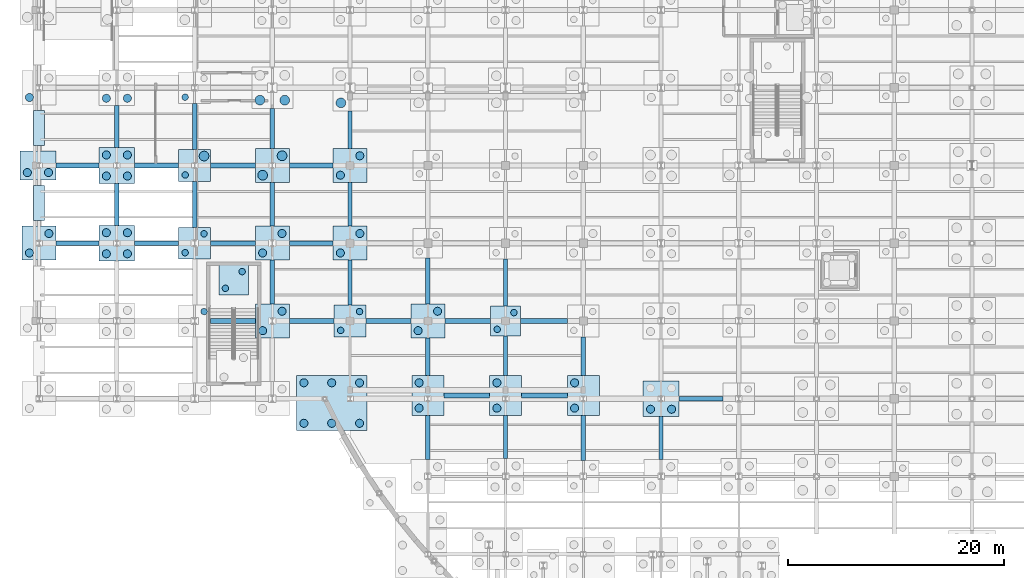
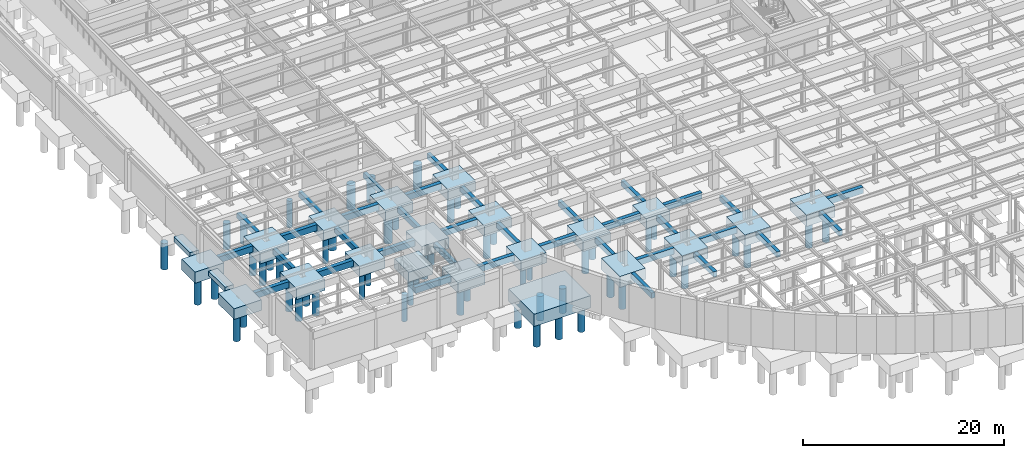
# One storey, part 2 of 64: 57 footings, 56 piles.
"""IFC4 building model written with IfcOpenShell, lengths in metres."""

from ifc_helpers import new_model, si_unit, direction, frame, origin, origin_2d, place, context, subcontext, project, spatial, rectangle, circle, extrude, material, material_profile, profile_set, type_object, element, save


model = new_model("IFC4")

# Units and contexts
model_context = context("Model", 3, precision=1e-05, world=origin(), true_north=direction((0.0, 1.0)))
body_context = subcontext(model_context, "Body", "Model", "MODEL_VIEW")
ifc_project = project(units=[si_unit("LENGTHUNIT", "METRE"), si_unit("AREAUNIT", "SQUARE_METRE"), si_unit("VOLUMEUNIT", "CUBIC_METRE"), si_unit("PLANEANGLEUNIT", "RADIAN"), si_unit("MASSUNIT", "GRAM", prefix="KILO")], contexts=[model_context])

# Site, building, storey
site_placement = place(None, origin())
site = spatial("IfcSite", under=ifc_project, at=site_placement, CompositionType="ELEMENT")
building_placement = place(site_placement, origin())
building = spatial("IfcBuilding", under=site, at=building_placement, Name="Solvadek Multi-Sports Hall", CompositionType="ELEMENT")
storey_placement = place(building_placement, frame((0.0, 0.0, -4.800048828125)))
storey = spatial("IfcBuildingStorey", under=building, at=storey_placement, Name="B1", CompositionType="ELEMENT", Elevation=-4.800048828125)

# Footings
ifc_material_1 = material(Name="Concrete M40", Category="concrete")
footing_type_1 = type_object("IfcFootingType", Name="STR-CAP-275X275X120", PredefinedType="PILE_CAP", material=ifc_material_1)
for number, where, z_axis, x_axis, name in (
    (1, (43.199951171875, 27.60009765625, -1.19970703125), (0.0, 0.0, 1.0), (1.0, 0.0, 0.0), "Pile Cap PC-02 #94"),
    (2, (18.02490234375, 31.39990234375, -1.19970703125), (0.0, 0.0, 1.0), (1.0, 0.0, 0.0), "Pile Cap PC-02 #103"),
):
    element("IfcFooting", number, at=place(storey_placement, frame(where, z_axis=z_axis, x_axis=x_axis)), inside=storey, type_object=footing_type_1, Name=name, PredefinedType="PILE_CAP", context=body_context, shape_type="SweptSolid", body=[
        extrude(rectangle(XDim=2.75, YDim=2.75, at=origin_2d()), origin(), (0.0, 0.0, 1.0), 1.199951171875),
    ])
footing_type_2 = type_object("IfcFootingType", Name="STR-CAP-295X295X125", PredefinedType="PILE_CAP", material=ifc_material_1)
for number, where, z_axis, x_axis, name in (
    (3, (28.800048828125, 27.60009765625, -1.25), (0.0, 0.0, 1.0), (1.0, 0.0, 0.0), "Pile Cap PC-14 #92"),
    (4, (14.39990234375, 34.800048828125, -1.25), (0.0, 0.0, 1.0), (1.0, 0.0, 0.0), "Pile Cap PC-14 #109"),
    (5, (14.39990234375, 42.0, -1.25), (0.0, 0.0, 1.0), (1.0, 0.0, 0.0), "Pile Cap PC-14 #139"),
):
    element("IfcFooting", number, at=place(storey_placement, frame(where, z_axis=z_axis, x_axis=x_axis)), inside=storey, type_object=footing_type_2, Name=name, PredefinedType="PILE_CAP", context=body_context, shape_type="SweptSolid", body=[
        extrude(rectangle(XDim=2.949951171875, YDim=2.949951171875, at=origin_2d()), origin(), (0.0, 0.0, 1.0), 1.25),
    ])
footing_type_3 = type_object("IfcFootingType", Name="STR-CAP-315X315X130", PredefinedType="PILE_CAP", material=ifc_material_1)
for number, where, z_axis, x_axis, name in (
    (6, (21.60009765625, 27.60009765625, -1.2998046875), (0.0, 0.0, 1.0), (1.0, 0.0, 0.0), "Pile Cap PC-15 #89"),
    (7, (36.0, 27.60009765625, -1.2998046875), (0.0, 0.0, 1.0), (1.0, 0.0, 0.0), "Pile Cap PC-15 #93"),
    (8, (0.0, 34.800048828125, -1.2998046875), (0.0, 0.0, 1.0), (1.0, 0.0, 0.0), "Pile Cap PC-15 #107"),
    (9, (21.60009765625, 34.800048828125, -1.2998046875), (0.0, 0.0, 1.0), (1.0, 0.0, 0.0), "Pile Cap PC-15 #110"),
    (10, (28.800048828125, 34.800048828125, -1.2998046875), (0.0, 0.0, 1.0), (1.0, 0.0, 0.0), "Pile Cap PC-15 #114"),
    (11, (21.60009765625, 42.0, -1.2998046875), (0.0, 0.0, 1.0), (1.0, 0.0, 0.0), "Pile Cap PC-15 #140"),
    (12, (28.800048828125, 42.0, -1.2998046875), (0.0, 0.0, 1.0), (1.0, 0.0, 0.0), "Pile Cap PC-15 #144"),
):
    element("IfcFooting", number, at=place(storey_placement, frame(where, z_axis=z_axis, x_axis=x_axis)), inside=storey, type_object=footing_type_3, Name=name, PredefinedType="PILE_CAP", context=body_context, shape_type="SweptSolid", body=[
        extrude(rectangle(XDim=3.14990234375, YDim=3.14990234375, at=origin_2d()), origin(), (0.0, 0.0, 1.0), 1.300048828125),
    ])
footing_type_4 = type_object("IfcFootingType", Name="STR-CAP-330X330X135", PredefinedType="PILE_CAP", material=ifc_material_1)
for number, where, z_axis, x_axis, name in (
    (13, (57.60009765625, 20.39990234375, -1.35009765625), (0.0, 0.0, 1.0), (1.0, 0.0, 0.0), "Pile Cap PC-04 #72"),
    (14, (7.199951171875, 34.800048828125, -1.35009765625), (0.0, 0.0, 1.0), (1.0, 0.0, 0.0), "Pile Cap PC-04 #108"),
    (15, (7.199951171875, 42.0, -1.35009765625), (0.0, 0.0, 1.0), (1.0, 0.0, 0.0), "Pile Cap PC-04 #138"),
):
    element("IfcFooting", number, at=place(storey_placement, frame(where, z_axis=z_axis, x_axis=x_axis)), inside=storey, type_object=footing_type_4, Name=name, PredefinedType="PILE_CAP", context=body_context, shape_type="SweptSolid", body=[
        extrude(rectangle(XDim=3.300048828125, YDim=3.300048828125, at=origin_2d()), origin(), (0.0, 0.0, 1.0), 1.35009765625),
    ])
footing_type_5 = type_object("IfcFootingType", Name="STR-CAP-CMB-332X266", PredefinedType="PILE_CAP", material=ifc_material_1)
footing_1_placement = place(storey_placement, frame((-0.110107421875, 42.0, -1.35009765625), z_axis=(0.0, 0.0, 1.0), x_axis=(1.0, 0.0, 0.0)))
element("IfcFooting", 16, at=footing_1_placement, inside=storey, type_object=footing_type_5, Name="Pile Cap PC-R86 #137", PredefinedType="PILE_CAP", context=body_context, shape_type="SweptSolid", body=[
    extrude(rectangle(XDim=3.320068359375, YDim=2.659912109375, at=origin_2d()), origin(), (0.0, 0.0, 1.0), 1.35009765625),
])
footing_type_6 = type_object("IfcFootingType", Name="STR-CAP-CMB-370X296", PredefinedType="PILE_CAP", material=ifc_material_1)
for number, where, z_axis, x_axis, name in (
    (17, (36.0, 20.699951171875, -1.35009765625), (0.0, 0.0, 1.0), (0.0, 1.0, 0.0), "Pile Cap PC-R69 #69"),
    (18, (43.199951171875, 20.699951171875, -1.35009765625), (0.0, 0.0, 1.0), (0.0, 1.0, 0.0), "Pile Cap PC-R69 #70"),
    (19, (50.39990234375, 20.699951171875, -1.35009765625), (0.0, 0.0, 1.0), (0.0, 1.0, 0.0), "Pile Cap PC-R69 #71"),
):
    element("IfcFooting", number, at=place(storey_placement, frame(where, z_axis=z_axis, x_axis=x_axis)), inside=storey, type_object=footing_type_6, Name=name, PredefinedType="PILE_CAP", context=body_context, shape_type="SweptSolid", body=[
        extrude(rectangle(XDim=3.699951171875, YDim=2.9599609375, at=origin_2d()), origin(), (0.0, 0.0, 1.0), 1.35009765625),
    ])
footing_type_7 = type_object("IfcFootingType", Name="STR-CAP-CMB-650X510", PredefinedType="PILE_CAP", material=ifc_material_1)
footing_2_placement = place(storey_placement, frame((27.10009765625, 20.0, -1.5), z_axis=(0.0, 0.0, 1.0), x_axis=(1.0, 0.0, 0.0)))
element("IfcFooting", 20, at=footing_2_placement, inside=storey, type_object=footing_type_7, Name="Pile Cap PC-R61 #61", PredefinedType="PILE_CAP", context=body_context, shape_type="SweptSolid", body=[
    extrude(rectangle(XDim=6.5, YDim=5.10009765625, at=origin_2d()), origin(), (0.0, 0.0, 1.0), 1.5),
])
footing_type_8 = type_object("IfcFootingType", Name="STR-FTB-400X650", PredefinedType="FOOTING_BEAM", material=ifc_material_1)
for number, where, z_axis, x_axis, name in (
    (21, (7.199951171875, 38.39990234375, -0.64990234375), (0.0, 0.0, 1.0), (0.0, 1.0, 0.0), "Foundation Beam FB-01 #221"),
    (22, (7.199951171875, 45.60009765625, -0.64990234375), (0.0, 0.0, 1.0), (0.0, 1.0, 0.0), "Foundation Beam FB-01 #222"),
):
    element("IfcFooting", number, at=place(storey_placement, frame(where, z_axis=z_axis, x_axis=x_axis)), inside=storey, type_object=footing_type_8, Name=name, PredefinedType="FOOTING_BEAM", context=body_context, shape_type="SweptSolid", body=[
        extrude(rectangle(XDim=3.89990234375, YDim=0.39990234375, at=origin_2d()), origin(), (0.0, 0.0, 1.0), 0.64990234375),
    ])
for number, where, z_axis, x_axis, name in (
    (23, (14.39990234375, 38.39990234375, -0.64990234375), (0.0, 0.0, 1.0), (0.0, 1.0, 0.0), "Foundation Beam FB-01 #231"),
    (24, (14.39990234375, 45.60009765625, -0.64990234375), (0.0, 0.0, 1.0), (0.0, 1.0, 0.0), "Foundation Beam FB-01 #232"),
):
    element("IfcFooting", number, at=place(storey_placement, frame(where, z_axis=z_axis, x_axis=x_axis)), inside=storey, type_object=footing_type_8, Name=name, PredefinedType="FOOTING_BEAM", context=body_context, shape_type="SweptSolid", body=[
        extrude(rectangle(XDim=4.25, YDim=0.39990234375, at=origin_2d()), origin(), (0.0, 0.0, 1.0), 0.64990234375),
    ])
for number, where, z_axis, x_axis, name in (
    (25, (21.60009765625, 31.199951171875, -0.64990234375), (0.0, 0.0, 1.0), (0.0, 1.0, 0.0), "Foundation Beam FB-01 #239"),
    (26, (21.60009765625, 38.39990234375, -0.64990234375), (0.0, 0.0, 1.0), (0.0, 1.0, 0.0), "Foundation Beam FB-01 #240"),
):
    element("IfcFooting", number, at=place(storey_placement, frame(where, z_axis=z_axis, x_axis=x_axis)), inside=storey, type_object=footing_type_8, Name=name, PredefinedType="FOOTING_BEAM", context=body_context, shape_type="SweptSolid", body=[
        extrude(rectangle(XDim=4.050048828125, YDim=0.39990234375, at=origin_2d()), origin(), (0.0, 0.0, 1.0), 0.64990234375),
    ])
footing_3_placement = place(storey_placement, frame((21.60009765625, 45.4375, -0.64990234375), z_axis=(0.0, 0.0, 1.0), x_axis=(0.0, 1.0, 0.0)))
element("IfcFooting", 27, at=footing_3_placement, inside=storey, type_object=footing_type_8, Name="Foundation Beam FB-01 #241", PredefinedType="FOOTING_BEAM", context=body_context, shape_type="SweptSolid", body=[
    extrude(rectangle(XDim=3.72509765625, YDim=0.39990234375, at=origin_2d()), origin(), (0.0, 0.0, 1.0), 0.64990234375),
])
footing_4_placement = place(storey_placement, frame((28.800048828125, 31.14990234375, -0.64990234375), z_axis=(0.0, 0.0, 1.0), x_axis=(0.0, 1.0, 0.0)))
element("IfcFooting", 28, at=footing_4_placement, inside=storey, type_object=footing_type_8, Name="Foundation Beam FB-01 #250", PredefinedType="FOOTING_BEAM", context=body_context, shape_type="SweptSolid", body=[
    extrude(rectangle(XDim=4.14990234375, YDim=0.39990234375, at=origin_2d()), origin(), (0.0, 0.0, 1.0), 0.64990234375),
])
footing_5_placement = place(storey_placement, frame((28.800048828125, 38.39990234375, -0.64990234375), z_axis=(0.0, 0.0, 1.0), x_axis=(0.0, 1.0, 0.0)))
element("IfcFooting", 29, at=footing_5_placement, inside=storey, type_object=footing_type_8, Name="Foundation Beam FB-01 #251", PredefinedType="FOOTING_BEAM", context=body_context, shape_type="SweptSolid", body=[
    extrude(rectangle(XDim=4.050048828125, YDim=0.39990234375, at=origin_2d()), origin(), (0.0, 0.0, 1.0), 0.64990234375),
])
footing_6_placement = place(storey_placement, frame((28.800048828125, 45.3125, -0.64990234375), z_axis=(0.0, 0.0, 1.0), x_axis=(0.0, 1.0, 0.0)))
element("IfcFooting", 30, at=footing_6_placement, inside=storey, type_object=footing_type_8, Name="Foundation Beam FB-01 #252", PredefinedType="FOOTING_BEAM", context=body_context, shape_type="SweptSolid", body=[
    extrude(rectangle(XDim=3.47509765625, YDim=0.39990234375, at=origin_2d()), origin(), (0.0, 0.0, 1.0), 0.64990234375),
])
footing_7_placement = place(storey_placement, frame((36.0, 16.8125, -0.64990234375), z_axis=(0.0, 0.0, 1.0), x_axis=(0.0, 1.0, 0.0)))
element("IfcFooting", 31, at=footing_7_placement, inside=storey, type_object=footing_type_8, Name="Foundation Beam FB-01 #261", PredefinedType="FOOTING_BEAM", context=body_context, shape_type="SweptSolid", body=[
    extrude(rectangle(XDim=4.074951171875, YDim=0.39990234375, at=origin_2d()), origin(), (0.0, 0.0, 1.0), 0.64990234375),
])
footing_8_placement = place(storey_placement, frame((36.0, 24.28759765625, -0.64990234375), z_axis=(0.0, 0.0, 1.0), x_axis=(0.0, 1.0, 0.0)))
element("IfcFooting", 32, at=footing_8_placement, inside=storey, type_object=footing_type_8, Name="Foundation Beam FB-01 #262", PredefinedType="FOOTING_BEAM", context=body_context, shape_type="SweptSolid", body=[
    extrude(rectangle(XDim=3.47509765625, YDim=0.39990234375, at=origin_2d()), origin(), (0.0, 0.0, 1.0), 0.64990234375),
])
footing_9_placement = place(storey_placement, frame((36.0, 31.300048828125, -0.64990234375), z_axis=(0.0, 0.0, 1.0), x_axis=(0.0, 1.0, 0.0)))
element("IfcFooting", 33, at=footing_9_placement, inside=storey, type_object=footing_type_8, Name="Foundation Beam FB-01 #263", PredefinedType="FOOTING_BEAM", context=body_context, shape_type="SweptSolid", body=[
    extrude(rectangle(XDim=4.25, YDim=0.39990234375, at=origin_2d()), origin(), (0.0, 0.0, 1.0), 0.64990234375),
])
footing_10_placement = place(storey_placement, frame((43.199951171875, 16.85009765625, -0.64990234375), z_axis=(0.0, 0.0, 1.0), x_axis=(0.0, 1.0, 0.0)))
element("IfcFooting", 34, at=footing_10_placement, inside=storey, type_object=footing_type_8, Name="Foundation Beam FB-01 #275", PredefinedType="FOOTING_BEAM", context=body_context, shape_type="SweptSolid", body=[
    extrude(rectangle(XDim=4.0, YDim=0.39990234375, at=origin_2d()), origin(), (0.0, 0.0, 1.0), 0.64990234375),
])
footing_11_placement = place(storey_placement, frame((43.199951171875, 24.387451171875, -0.64990234375), z_axis=(0.0, 0.0, 1.0), x_axis=(0.0, 1.0, 0.0)))
element("IfcFooting", 35, at=footing_11_placement, inside=storey, type_object=footing_type_8, Name="Foundation Beam FB-01 #276", PredefinedType="FOOTING_BEAM", context=body_context, shape_type="SweptSolid", body=[
    extrude(rectangle(XDim=3.675048828125, YDim=0.39990234375, at=origin_2d()), origin(), (0.0, 0.0, 1.0), 0.64990234375),
])
footing_12_placement = place(storey_placement, frame((43.199951171875, 31.14990234375, -0.64990234375), z_axis=(0.0, 0.0, 1.0), x_axis=(0.0, 1.0, 0.0)))
element("IfcFooting", 36, at=footing_12_placement, inside=storey, type_object=footing_type_8, Name="Foundation Beam FB-01 #277", PredefinedType="FOOTING_BEAM", context=body_context, shape_type="SweptSolid", body=[
    extrude(rectangle(XDim=4.35009765625, YDim=0.39990234375, at=origin_2d()), origin(), (0.0, 0.0, 1.0), 0.64990234375),
])
footing_13_placement = place(storey_placement, frame((50.39990234375, 16.762451171875, -0.64990234375), z_axis=(0.0, 0.0, 1.0), x_axis=(0.0, 1.0, 0.0)))
element("IfcFooting", 37, at=footing_13_placement, inside=storey, type_object=footing_type_8, Name="Foundation Beam FB-01 #289", PredefinedType="FOOTING_BEAM", context=body_context, shape_type="SweptSolid", body=[
    extrude(rectangle(XDim=4.175048828125, YDim=0.39990234375, at=origin_2d()), origin(), (0.0, 0.0, 1.0), 0.64990234375),
])
footing_14_placement = place(storey_placement, frame((50.39990234375, 24.33740234375, -0.64990234375), z_axis=(0.0, 0.0, 1.0), x_axis=(0.0, 1.0, 0.0)))
element("IfcFooting", 38, at=footing_14_placement, inside=storey, type_object=footing_type_8, Name="Foundation Beam FB-01 #290", PredefinedType="FOOTING_BEAM", context=body_context, shape_type="SweptSolid", body=[
    extrude(rectangle(XDim=3.574951171875, YDim=0.39990234375, at=origin_2d()), origin(), (0.0, 0.0, 1.0), 0.64990234375),
])
footing_15_placement = place(storey_placement, frame((57.60009765625, 16.762451171875, -0.64990234375), z_axis=(0.0, 0.0, 1.0), x_axis=(0.0, 1.0, 0.0)))
element("IfcFooting", 39, at=footing_15_placement, inside=storey, type_object=footing_type_8, Name="Foundation Beam FB-01 #302", PredefinedType="FOOTING_BEAM", context=body_context, shape_type="SweptSolid", body=[
    extrude(rectangle(XDim=3.97509765625, YDim=0.39990234375, at=origin_2d()), origin(), (0.0, 0.0, 1.0), 0.64990234375),
])
footing_type_9 = type_object("IfcFootingType", Name="STR-FTB-450X750", PredefinedType="FOOTING_BEAM", material=ifc_material_1)
footing_16_placement = place(storey_placement, frame((61.28759765625, 20.39990234375, -0.75), z_axis=(0.0, 0.0, 1.0), x_axis=(1.0, 0.0, 0.0)))
element("IfcFooting", 40, at=footing_16_placement, inside=storey, type_object=footing_type_9, Name="Foundation Beam FB-02 #26", PredefinedType="FOOTING_BEAM", context=body_context, shape_type="SweptSolid", body=[
    extrude(rectangle(XDim=4.074951171875, YDim=0.449951171875, at=origin_2d()), origin(), (0.0, 0.0, 1.0), 0.75),
])
for number, where, z_axis, x_axis, name in (
    (41, (39.60009765625, 20.699951171875, -0.75), (0.0, 0.0, 1.0), (1.0, 0.0, 0.0), "Foundation Beam FB-02 #37"),
    (42, (46.800048828125, 20.699951171875, -0.75), (0.0, 0.0, 1.0), (1.0, 0.0, 0.0), "Foundation Beam FB-02 #38"),
):
    element("IfcFooting", number, at=place(storey_placement, frame(where, z_axis=z_axis, x_axis=x_axis)), inside=storey, type_object=footing_type_9, Name=name, PredefinedType="FOOTING_BEAM", context=body_context, shape_type="SweptSolid", body=[
        extrude(rectangle(XDim=4.239990234375, YDim=0.449951171875, at=origin_2d()), origin(), (0.0, 0.0, 1.0), 0.75),
    ])
for number, where, z_axis, x_axis, name in (
    (43, (17.949951171875, 27.60009765625, -0.75), (0.0, 0.0, 1.0), (1.0, 0.0, 0.0), "Foundation Beam FB-02 #41"),
    (44, (25.25, 27.60009765625, -0.75), (0.0, 0.0, 1.0), (1.0, 0.0, 0.0), "Foundation Beam FB-02 #42"),
    (45, (32.35009765625, 27.60009765625, -0.75), (0.0, 0.0, 1.0), (1.0, 0.0, 0.0), "Foundation Beam FB-02 #43"),
):
    element("IfcFooting", number, at=place(storey_placement, frame(where, z_axis=z_axis, x_axis=x_axis)), inside=storey, type_object=footing_type_9, Name=name, PredefinedType="FOOTING_BEAM", context=body_context, shape_type="SweptSolid", body=[
        extrude(rectangle(XDim=4.14990234375, YDim=0.449951171875, at=origin_2d()), origin(), (0.0, 0.0, 1.0), 0.75),
    ])
footing_17_placement = place(storey_placement, frame((39.699951171875, 27.60009765625, -0.75), z_axis=(0.0, 0.0, 1.0), x_axis=(1.0, 0.0, 0.0)))
element("IfcFooting", 46, at=footing_17_placement, inside=storey, type_object=footing_type_9, Name="Foundation Beam FB-02 #44", PredefinedType="FOOTING_BEAM", context=body_context, shape_type="SweptSolid", body=[
    extrude(rectangle(XDim=4.25, YDim=0.449951171875, at=origin_2d()), origin(), (0.0, 0.0, 1.0), 0.75),
])
footing_18_placement = place(storey_placement, frame((46.75, 27.60009765625, -0.75), z_axis=(0.0, 0.0, 1.0), x_axis=(1.0, 0.0, 0.0)))
element("IfcFooting", 47, at=footing_18_placement, inside=storey, type_object=footing_type_9, Name="Foundation Beam FB-02 #45", PredefinedType="FOOTING_BEAM", context=body_context, shape_type="SweptSolid", body=[
    extrude(rectangle(XDim=4.35009765625, YDim=0.449951171875, at=origin_2d()), origin(), (0.0, 0.0, 1.0), 0.75),
])
footing_19_placement = place(storey_placement, frame((3.5625, 34.800048828125, -0.75), z_axis=(0.0, 0.0, 1.0), x_axis=(1.0, 0.0, 0.0)))
element("IfcFooting", 48, at=footing_19_placement, inside=storey, type_object=footing_type_9, Name="Foundation Beam FB-02 #58", PredefinedType="FOOTING_BEAM", context=body_context, shape_type="SweptSolid", body=[
    extrude(rectangle(XDim=3.97509765625, YDim=0.449951171875, at=origin_2d()), origin(), (0.0, 0.0, 1.0), 0.75),
])
footing_20_placement = place(storey_placement, frame((10.887451171875, 34.800048828125, -0.75), z_axis=(0.0, 0.0, 1.0), x_axis=(1.0, 0.0, 0.0)))
element("IfcFooting", 49, at=footing_20_placement, inside=storey, type_object=footing_type_9, Name="Foundation Beam FB-02 #59", PredefinedType="FOOTING_BEAM", context=body_context, shape_type="SweptSolid", body=[
    extrude(rectangle(XDim=4.074951171875, YDim=0.449951171875, at=origin_2d()), origin(), (0.0, 0.0, 1.0), 0.75),
])
footing_21_placement = place(storey_placement, frame((17.949951171875, 34.800048828125, -0.75), z_axis=(0.0, 0.0, 1.0), x_axis=(1.0, 0.0, 0.0)))
element("IfcFooting", 50, at=footing_21_placement, inside=storey, type_object=footing_type_9, Name="Foundation Beam FB-02 #60", PredefinedType="FOOTING_BEAM", context=body_context, shape_type="SweptSolid", body=[
    extrude(rectangle(XDim=4.14990234375, YDim=0.449951171875, at=origin_2d()), origin(), (0.0, 0.0, 1.0), 0.75),
])
footing_22_placement = place(storey_placement, frame((25.199951171875, 34.800048828125, -0.75), z_axis=(0.0, 0.0, 1.0), x_axis=(1.0, 0.0, 0.0)))
element("IfcFooting", 51, at=footing_22_placement, inside=storey, type_object=footing_type_9, Name="Foundation Beam FB-02 #61", PredefinedType="FOOTING_BEAM", context=body_context, shape_type="SweptSolid", body=[
    extrude(rectangle(XDim=4.050048828125, YDim=0.449951171875, at=origin_2d()), origin(), (0.0, 0.0, 1.0), 0.75),
])
footing_23_placement = place(storey_placement, frame((3.550048828125, 42.0, -0.75), z_axis=(0.0, 0.0, 1.0), x_axis=(1.0, 0.0, 0.0)))
element("IfcFooting", 52, at=footing_23_placement, inside=storey, type_object=footing_type_9, Name="Foundation Beam FB-02 #77", PredefinedType="FOOTING_BEAM", context=body_context, shape_type="SweptSolid", body=[
    extrude(rectangle(XDim=4.0, YDim=0.449951171875, at=origin_2d()), origin(), (0.0, 0.0, 1.0), 0.75),
])
footing_24_placement = place(storey_placement, frame((10.887451171875, 42.0, -0.75), z_axis=(0.0, 0.0, 1.0), x_axis=(1.0, 0.0, 0.0)))
element("IfcFooting", 53, at=footing_24_placement, inside=storey, type_object=footing_type_9, Name="Foundation Beam FB-02 #78", PredefinedType="FOOTING_BEAM", context=body_context, shape_type="SweptSolid", body=[
    extrude(rectangle(XDim=4.074951171875, YDim=0.449951171875, at=origin_2d()), origin(), (0.0, 0.0, 1.0), 0.75),
])
footing_25_placement = place(storey_placement, frame((17.949951171875, 42.0, -0.75), z_axis=(0.0, 0.0, 1.0), x_axis=(1.0, 0.0, 0.0)))
element("IfcFooting", 54, at=footing_25_placement, inside=storey, type_object=footing_type_9, Name="Foundation Beam FB-02 #79", PredefinedType="FOOTING_BEAM", context=body_context, shape_type="SweptSolid", body=[
    extrude(rectangle(XDim=4.14990234375, YDim=0.449951171875, at=origin_2d()), origin(), (0.0, 0.0, 1.0), 0.75),
])
footing_26_placement = place(storey_placement, frame((25.199951171875, 42.0, -0.75), z_axis=(0.0, 0.0, 1.0), x_axis=(1.0, 0.0, 0.0)))
element("IfcFooting", 55, at=footing_26_placement, inside=storey, type_object=footing_type_9, Name="Foundation Beam FB-02 #80", PredefinedType="FOOTING_BEAM", context=body_context, shape_type="SweptSolid", body=[
    extrude(rectangle(XDim=4.050048828125, YDim=0.449951171875, at=origin_2d()), origin(), (0.0, 0.0, 1.0), 0.75),
])

# Piles
ifc_material_2 = material(Name="Concrete M35", Category="concrete")
ifc_material_profile_1 = material_profile(ifc_material_2, circle(Radius=0.300048828125, at=origin_2d()), Name="BORED PILE D600")
ifc_profile_set_1 = profile_set([ifc_material_profile_1], Name="Concrete M35")
pile_type_1 = type_object("IfcPileType", Name="STR-PILE-D600", PredefinedType="BORED", material=ifc_profile_set_1)
for number, where, z_axis, x_axis, name in (
    (56, (15.27490234375, 28.47509765625, -1.14990234375), (0.0, 0.0, -1.0), (1.0, 0.0, 0.0), "Bored Pile PL-600 #325"),
    (57, (27.925048828125, 26.72509765625, -1.14990234375), (0.0, 0.0, -1.0), (1.0, 0.0, 0.0), "Bored Pile PL-600 #334"),
    (58, (29.675048828125, 28.47509765625, -1.14990234375), (0.0, 0.0, -1.0), (1.0, 0.0, 0.0), "Bored Pile PL-600 #335"),
):
    element("IfcPile", number, at=place(storey_placement, frame(where, z_axis=z_axis, x_axis=x_axis)), inside=storey, type_object=pile_type_1, Name=name, PredefinedType="BORED", context=body_context, shape_type="SweptSolid", body=[
        extrude(circle(Radius=0.300048828125, at=origin_2d()), origin(), (0.0, 0.0, 1.0), 3.25),
    ])
for number, where, z_axis, x_axis, name in (
    (59, (42.425048828125, 26.824951171875, -1.099853515625), (0.0, 0.0, -1.0), (1.0, 0.0, 0.0), "Bored Pile PL-600 #338"),
    (60, (43.97509765625, 28.375, -1.099853515625), (0.0, 0.0, -1.0), (1.0, 0.0, 0.0), "Bored Pile PL-600 #339"),
    (61, (17.25, 30.625, -1.099853515625), (0.0, 0.0, -1.0), (1.0, 0.0, 0.0), "Bored Pile PL-600 #356"),
    (62, (18.800048828125, 32.175048828125, -1.099853515625), (0.0, 0.0, -1.0), (1.0, 0.0, 0.0), "Bored Pile PL-600 #357"),
):
    element("IfcPile", number, at=place(storey_placement, frame(where, z_axis=z_axis, x_axis=x_axis)), inside=storey, type_object=pile_type_1, Name=name, PredefinedType="BORED", context=body_context, shape_type="SweptSolid", body=[
        extrude(circle(Radius=0.300048828125, at=origin_2d()), origin(), (0.0, 0.0, 1.0), 3.300048828125),
    ])
for number, where, z_axis, x_axis, name in (
    (63, (13.52490234375, 33.925048828125, -1.14990234375), (0.0, 0.0, -1.0), (1.0, 0.0, 0.0), "Bored Pile PL-600 #374"),
    (64, (15.27490234375, 35.675048828125, -1.14990234375), (0.0, 0.0, -1.0), (1.0, 0.0, 0.0), "Bored Pile PL-600 #375"),
    (65, (13.52490234375, 41.125, -1.14990234375), (0.0, 0.0, -1.0), (1.0, 0.0, 0.0), "Bored Pile PL-600 #462"),
    (66, (13.52490234375, 48.324951171875, -1.14990234375), (0.0, 0.0, -1.0), (1.0, 0.0, 0.0), "Bored Pile PL-600 #516"),
):
    element("IfcPile", number, at=place(storey_placement, frame(where, z_axis=z_axis, x_axis=x_axis)), inside=storey, type_object=pile_type_1, Name=name, PredefinedType="BORED", context=body_context, shape_type="SweptSolid", body=[
        extrude(circle(Radius=0.300048828125, at=origin_2d()), origin(), (0.0, 0.0, 1.0), 3.25),
    ])
ifc_material_profile_2 = material_profile(ifc_material_2, circle(Radius=0.375, at=origin_2d()), Name="BORED PILE D750")
ifc_profile_set_2 = profile_set([ifc_material_profile_2], Name="Concrete M35")
pile_type_2 = type_object("IfcPileType", Name="STR-PILE-D750", PredefinedType="BORED", material=ifc_profile_set_2)
for number, where, z_axis, x_axis, name in (
    (67, (24.52490234375, 18.125, -1.39990234375), (0.0, 0.0, -1.0), (1.0, 0.0, 0.0), "Bored Pile PL-750 #248"),
    (68, (24.52490234375, 21.875, -1.39990234375), (0.0, 0.0, -1.0), (1.0, 0.0, 0.0), "Bored Pile PL-750 #249"),
    (69, (27.10009765625, 18.125, -1.39990234375), (0.0, 0.0, -1.0), (1.0, 0.0, 0.0), "Bored Pile PL-750 #250"),
    (70, (27.10009765625, 21.875, -1.39990234375), (0.0, 0.0, -1.0), (1.0, 0.0, 0.0), "Bored Pile PL-750 #251"),
    (71, (29.675048828125, 18.125, -1.39990234375), (0.0, 0.0, -1.0), (1.0, 0.0, 0.0), "Bored Pile PL-750 #252"),
    (72, (29.675048828125, 21.875, -1.39990234375), (0.0, 0.0, -1.0), (1.0, 0.0, 0.0), "Bored Pile PL-750 #253"),
):
    element("IfcPile", number, at=place(storey_placement, frame(where, z_axis=z_axis, x_axis=x_axis)), inside=storey, type_object=pile_type_2, Name=name, PredefinedType="BORED", context=body_context, shape_type="SweptSolid", body=[
        extrude(circle(Radius=0.375, at=origin_2d()), origin(), (0.0, 0.0, 1.0), 3.0),
    ])
for number, where, z_axis, x_axis, name in (
    (73, (35.195068359375, 19.52490234375, -1.25), (0.0, 0.0, -1.0), (1.0, 0.0, 0.0), "Bored Pile PL-750 #276"),
    (74, (35.195068359375, 21.875, -1.25), (0.0, 0.0, -1.0), (1.0, 0.0, 0.0), "Bored Pile PL-750 #277"),
    (75, (42.39501953125, 19.52490234375, -1.25), (0.0, 0.0, -1.0), (1.0, 0.0, 0.0), "Bored Pile PL-750 #278"),
    (76, (42.39501953125, 21.875, -1.25), (0.0, 0.0, -1.0), (1.0, 0.0, 0.0), "Bored Pile PL-750 #279"),
    (77, (49.594970703125, 19.52490234375, -1.25), (0.0, 0.0, -1.0), (1.0, 0.0, 0.0), "Bored Pile PL-750 #280"),
    (78, (49.594970703125, 21.875, -1.25), (0.0, 0.0, -1.0), (1.0, 0.0, 0.0), "Bored Pile PL-750 #281"),
    (79, (56.625, 19.425048828125, -1.25), (0.0, 0.0, -1.0), (1.0, 0.0, 0.0), "Bored Pile PL-750 #282"),
    (80, (58.574951171875, 19.425048828125, -1.25), (0.0, 0.0, -1.0), (1.0, 0.0, 0.0), "Bored Pile PL-750 #284"),
):
    element("IfcPile", number, at=place(storey_placement, frame(where, z_axis=z_axis, x_axis=x_axis)), inside=storey, type_object=pile_type_2, Name=name, PredefinedType="BORED", context=body_context, shape_type="SweptSolid", body=[
        extrude(circle(Radius=0.375, at=origin_2d()), origin(), (0.0, 0.0, 1.0), 3.14990234375),
    ])
for number, where, z_axis, x_axis, name in (
    (81, (20.699951171875, 26.699951171875, -1.199951171875), (0.0, 0.0, -1.0), (1.0, 0.0, 0.0), "Bored Pile PL-750 #326"),
    (82, (22.5, 28.5, -1.199951171875), (0.0, 0.0, -1.0), (1.0, 0.0, 0.0), "Bored Pile PL-750 #327"),
    (83, (35.10009765625, 26.699951171875, -1.199951171875), (0.0, 0.0, -1.0), (1.0, 0.0, 0.0), "Bored Pile PL-750 #336"),
    (84, (36.89990234375, 28.5, -1.199951171875), (0.0, 0.0, -1.0), (1.0, 0.0, 0.0), "Bored Pile PL-750 #337"),
    (85, (-0.89990234375, 33.89990234375, -1.199951171875), (0.0, 0.0, -1.0), (1.0, 0.0, 0.0), "Bored Pile PL-750 #368"),
    (86, (0.89990234375, 35.699951171875, -1.199951171875), (0.0, 0.0, -1.0), (1.0, 0.0, 0.0), "Bored Pile PL-750 #369"),
):
    element("IfcPile", number, at=place(storey_placement, frame(where, z_axis=z_axis, x_axis=x_axis)), inside=storey, type_object=pile_type_2, Name=name, PredefinedType="BORED", context=body_context, shape_type="SweptSolid", body=[
        extrude(circle(Radius=0.375, at=origin_2d()), origin(), (0.0, 0.0, 1.0), 3.199951171875),
    ])
for number, where, z_axis, x_axis, name in (
    (87, (6.22509765625, 33.824951171875, -1.25), (0.0, 0.0, -1.0), (1.0, 0.0, 0.0), "Bored Pile PL-750 #370"),
    (88, (6.22509765625, 35.77490234375, -1.25), (0.0, 0.0, -1.0), (1.0, 0.0, 0.0), "Bored Pile PL-750 #371"),
    (89, (8.175048828125, 33.824951171875, -1.25), (0.0, 0.0, -1.0), (1.0, 0.0, 0.0), "Bored Pile PL-750 #372"),
    (90, (8.175048828125, 35.77490234375, -1.25), (0.0, 0.0, -1.0), (1.0, 0.0, 0.0), "Bored Pile PL-750 #373"),
):
    element("IfcPile", number, at=place(storey_placement, frame(where, z_axis=z_axis, x_axis=x_axis)), inside=storey, type_object=pile_type_2, Name=name, PredefinedType="BORED", context=body_context, shape_type="SweptSolid", body=[
        extrude(circle(Radius=0.375, at=origin_2d()), origin(), (0.0, 0.0, 1.0), 3.14990234375),
    ])
for number, where, z_axis, x_axis, name in (
    (91, (20.699951171875, 33.89990234375, -1.199951171875), (0.0, 0.0, -1.0), (1.0, 0.0, 0.0), "Bored Pile PL-750 #376"),
    (92, (22.5, 35.699951171875, -1.199951171875), (0.0, 0.0, -1.0), (1.0, 0.0, 0.0), "Bored Pile PL-750 #377"),
    (93, (27.89990234375, 33.89990234375, -1.199951171875), (0.0, 0.0, -1.0), (1.0, 0.0, 0.0), "Bored Pile PL-750 #386"),
    (94, (29.699951171875, 35.699951171875, -1.199951171875), (0.0, 0.0, -1.0), (1.0, 0.0, 0.0), "Bored Pile PL-750 #387"),
):
    element("IfcPile", number, at=place(storey_placement, frame(where, z_axis=z_axis, x_axis=x_axis)), inside=storey, type_object=pile_type_2, Name=name, PredefinedType="BORED", context=body_context, shape_type="SweptSolid", body=[
        extrude(circle(Radius=0.375, at=origin_2d()), origin(), (0.0, 0.0, 1.0), 3.199951171875),
    ])
for number, where, z_axis, x_axis, name in (
    (95, (-1.094970703125, 41.344970703125, -1.25), (0.0, 0.0, -1.0), (1.0, 0.0, 0.0), "Bored Pile PL-750 #456"),
    (96, (0.875, 41.344970703125, -1.25), (0.0, 0.0, -1.0), (1.0, 0.0, 0.0), "Bored Pile PL-750 #457"),
    (97, (6.22509765625, 41.02490234375, -1.25), (0.0, 0.0, -1.0), (1.0, 0.0, 0.0), "Bored Pile PL-750 #458"),
    (98, (6.22509765625, 42.97509765625, -1.25), (0.0, 0.0, -1.0), (1.0, 0.0, 0.0), "Bored Pile PL-750 #459"),
    (99, (8.175048828125, 41.02490234375, -1.25), (0.0, 0.0, -1.0), (1.0, 0.0, 0.0), "Bored Pile PL-750 #460"),
    (100, (8.175048828125, 42.97509765625, -1.25), (0.0, 0.0, -1.0), (1.0, 0.0, 0.0), "Bored Pile PL-750 #461"),
):
    element("IfcPile", number, at=place(storey_placement, frame(where, z_axis=z_axis, x_axis=x_axis)), inside=storey, type_object=pile_type_2, Name=name, PredefinedType="BORED", context=body_context, shape_type="SweptSolid", body=[
        extrude(circle(Radius=0.375, at=origin_2d()), origin(), (0.0, 0.0, 1.0), 3.14990234375),
    ])
for number, where, z_axis, x_axis, name in (
    (101, (27.89990234375, 41.10009765625, -1.199951171875), (0.0, 0.0, -1.0), (1.0, 0.0, 0.0), "Bored Pile PL-750 #474"),
    (102, (29.699951171875, 42.89990234375, -1.199951171875), (0.0, 0.0, -1.0), (1.0, 0.0, 0.0), "Bored Pile PL-750 #475"),
    (103, (-0.89990234375, 48.300048828125, -1.199951171875), (0.0, 0.0, -1.0), (1.0, 0.0, 0.0), "Bored Pile PL-750 #510"),
):
    element("IfcPile", number, at=place(storey_placement, frame(where, z_axis=z_axis, x_axis=x_axis)), inside=storey, type_object=pile_type_2, Name=name, PredefinedType="BORED", context=body_context, shape_type="SweptSolid", body=[
        extrude(circle(Radius=0.375, at=origin_2d()), origin(), (0.0, 0.0, 1.0), 3.199951171875),
    ])
for number, where, z_axis, x_axis, name in (
    (104, (6.22509765625, 48.22509765625, -1.25), (0.0, 0.0, -1.0), (1.0, 0.0, 0.0), "Bored Pile PL-750 #512"),
    (105, (8.175048828125, 48.22509765625, -1.25), (0.0, 0.0, -1.0), (1.0, 0.0, 0.0), "Bored Pile PL-750 #514"),
):
    element("IfcPile", number, at=place(storey_placement, frame(where, z_axis=z_axis, x_axis=x_axis)), inside=storey, type_object=pile_type_2, Name=name, PredefinedType="BORED", context=body_context, shape_type="SweptSolid", body=[
        extrude(circle(Radius=0.375, at=origin_2d()), origin(), (0.0, 0.0, 1.0), 3.14990234375),
    ])
ifc_material_profile_3 = material_profile(ifc_material_2, circle(Radius=0.449951171875, at=origin_2d()), Name="BORED PILE D900")
ifc_profile_set_3 = profile_set([ifc_material_profile_3], Name="Concrete M35")
pile_type_3 = type_object("IfcPileType", Name="STR-PILE-D900", PredefinedType="BORED", material=ifc_profile_set_3)
pile_placement = place(storey_placement, frame((15.27490234375, 42.875, -1.14990234375), z_axis=(0.0, 0.0, -1.0), x_axis=(1.0, 0.0, 0.0)))
element("IfcPile", 106, at=pile_placement, inside=storey, type_object=pile_type_3, Name="Bored Pile PL-900 #463", PredefinedType="BORED", context=body_context, shape_type="SweptSolid", body=[
    extrude(circle(Radius=0.449951171875, at=origin_2d()), origin(), (0.0, 0.0, 1.0), 3.25),
])
for number, where, z_axis, x_axis, name in (
    (107, (20.699951171875, 41.10009765625, -1.199951171875), (0.0, 0.0, -1.0), (1.0, 0.0, 0.0), "Bored Pile PL-900 #464"),
    (108, (22.5, 42.89990234375, -1.199951171875), (0.0, 0.0, -1.0), (1.0, 0.0, 0.0), "Bored Pile PL-900 #465"),
):
    element("IfcPile", number, at=place(storey_placement, frame(where, z_axis=z_axis, x_axis=x_axis)), inside=storey, type_object=pile_type_3, Name=name, PredefinedType="BORED", context=body_context, shape_type="SweptSolid", body=[
        extrude(circle(Radius=0.449951171875, at=origin_2d()), origin(), (0.0, 0.0, 1.0), 3.199951171875),
    ])
for number, where, z_axis, x_axis, name in (
    (109, (27.949951171875, 47.800048828125, -1.39990234375), (0.0, 0.0, -1.0), (1.0, 0.0, 0.0), "Bored Pile PL-900 #486"),
    (110, (20.449951171875, 48.050048828125, -1.39990234375), (0.0, 0.0, -1.0), (1.0, 0.0, 0.0), "Bored Pile PL-900 #494"),
    (111, (22.75, 48.050048828125, -1.39990234375), (0.0, 0.0, -1.0), (1.0, 0.0, 0.0), "Bored Pile PL-900 #496"),
):
    element("IfcPile", number, at=place(storey_placement, frame(where, z_axis=z_axis, x_axis=x_axis)), inside=storey, type_object=pile_type_3, Name=name, PredefinedType="BORED", context=body_context, shape_type="SweptSolid", body=[
        extrude(circle(Radius=0.449951171875, at=origin_2d()), origin(), (0.0, 0.0, 1.0), 3.0),
    ])

# Footings
footing_type_10 = type_object("IfcFootingType", Name="STR-SFT-1000X600", PredefinedType="STRIP_FOOTING", material=ifc_material_1)
for number, where, z_axis, x_axis, name in (
    (112, (0.0, 45.4775390625, -0.60009765625), (0.0, 0.0, 1.0), (0.0, -1.0, 0.0), "Perimeter Retaining Wall Strip Footing #459"),
    (113, (0.0, 38.5224609375, -0.60009765625), (0.0, 0.0, 1.0), (0.0, -1.0, 0.0), "Perimeter Retaining Wall Strip Footing #460"),
):
    element("IfcFooting", number, at=place(storey_placement, frame(where, z_axis=z_axis, x_axis=x_axis)), inside=storey, type_object=footing_type_10, Name=name, PredefinedType="STRIP_FOOTING", context=body_context, shape_type="SweptSolid", body=[
        extrude(rectangle(XDim=3.2548828125, YDim=1.0, at=origin_2d()), origin(), (0.0, 0.0, 1.0), 0.60009765625),
    ])

save(model, "model.ifc")
